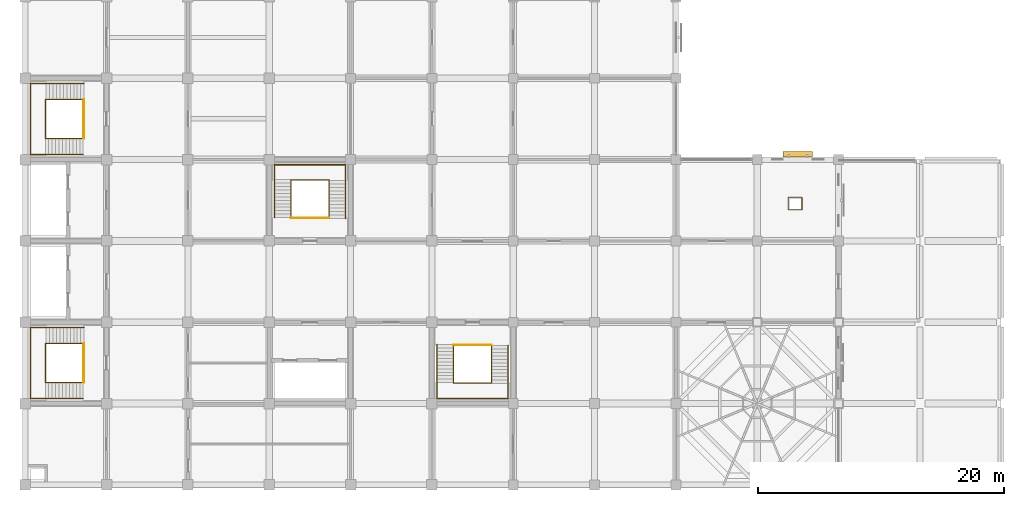
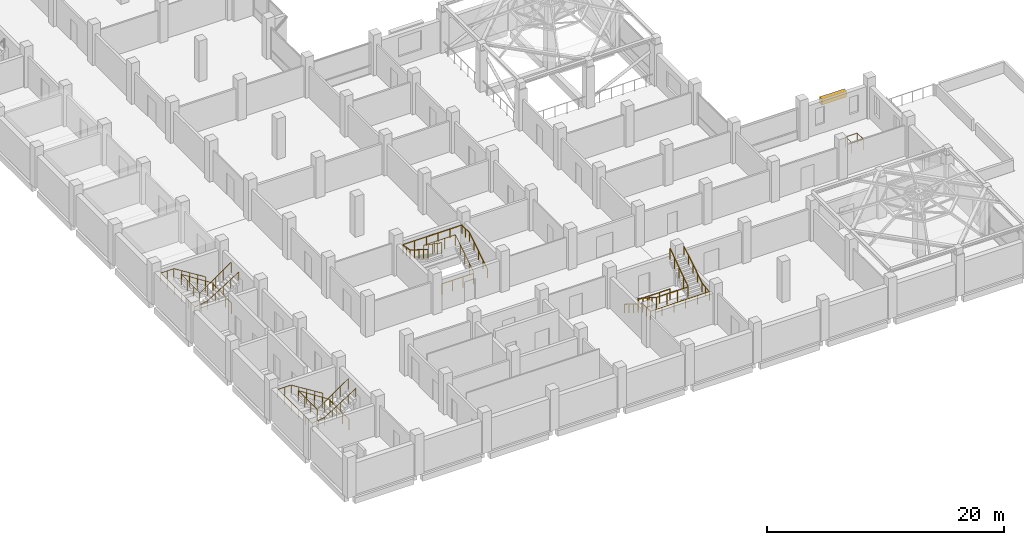
# One storey, part 24 of 25: 13 railings, 1 shading device.
"""IFC4 building model written with IfcOpenShell, lengths in metres."""

import ifcopenshell
import ifcopenshell.guid

model = None  # the IFC model being written
_history = None  # IfcOwnerHistory: only IFC2X3 demands one
_inside = {}  # id of a spatial element -> (the spatial element, [elements in it])
_under = {}  # id of a project, library or spatial element -> (it, [spatial elements below it])
_declared = {}  # id of a project -> (the project, [libraries it declares])
_typed = {}  # id of a type object -> (the type object, [elements of that type])
_made_of = {}  # id of a material, layer set ... -> (it, [elements and type objects made of it])


def new_model(schema):
    """Start an empty IFC model of exactly this schema.

    Asked for "IFC4X3", IfcOpenShell would pick the latest addendum, in which some entities
    have other attributes; the version numbers below select the first issue.
    IFC2X3 requires an IfcOwnerHistory on every rooted entity: one is made here for all.
    """
    global model, _history
    if schema == "IFC4X3":
        model = ifcopenshell.file(schema_version=(4, 3, 0, 0))
    else:
        model = ifcopenshell.file(schema=schema)
    _inside.clear()
    _under.clear()
    _declared.clear()
    _typed.clear()
    _made_of.clear()
    _history = None
    if model.schema == "IFC2X3":
        org = make("IfcOrganization", Name="unknown")
        user = make(
            "IfcPersonAndOrganization",
            ThePerson=make("IfcPerson", FamilyName="unknown"),
            TheOrganization=org,
        )
        app = make(
            "IfcApplication",
            ApplicationDeveloper=org,
            Version="unknown",
            ApplicationFullName="unknown",
            ApplicationIdentifier="unknown",
        )
        _history = make(
            "IfcOwnerHistory",
            OwningUser=user,
            OwningApplication=app,
            ChangeAction="ADDED",
            CreationDate=0,
        )
    return model


def make(cls, **values):
    """One entity of the class cls with the attributes given. An attribute that is None is left unset."""
    return model.create_entity(
        cls, **{name: value for name, value in values.items() if value is not None}
    )


def rooted(cls, **values):
    """An entity with a GlobalId (a new one), such as an element, a storey or a relation."""
    return make(cls, GlobalId=ifcopenshell.guid.new(), OwnerHistory=_history, **values)


def si_unit(unit_type, name, prefix=None):
    """IfcSIUnit, for example si_unit("LENGTHUNIT", "METRE", prefix="MILLI")."""
    return make("IfcSIUnit", UnitType=unit_type, Prefix=prefix, Name=name)


def assignment(units):
    """IfcUnitAssignment: the units of a project."""
    return None if units is None else make("IfcUnitAssignment", Units=units)


def point(xyz):
    """IfcCartesianPoint."""
    return None if xyz is None else make("IfcCartesianPoint", Coordinates=xyz)


def direction(xyz):
    """IfcDirection."""
    return None if xyz is None else make("IfcDirection", DirectionRatios=xyz)


def frame(location, z_axis=None, x_axis=None):
    """IfcAxis2Placement3D, a coordinate frame: its origin and axes. An axis left out is left unset."""
    return make(
        "IfcAxis2Placement3D",
        Location=point(location),
        Axis=direction(z_axis),
        RefDirection=direction(x_axis),
    )


def frame_2d(location, x_axis=None):
    """IfcAxis2Placement2D, a coordinate frame in the plane: its origin and x axis."""
    return make(
        "IfcAxis2Placement2D", Location=point(location), RefDirection=direction(x_axis)
    )


def origin():
    """The frame at (0, 0, 0) with its axes left unset."""
    return frame((0.0, 0.0, 0.0))


def origin_2d():
    """The frame at (0, 0) in the plane with its x axis left unset."""
    return frame_2d((0.0, 0.0))


def place(relative_to, where):
    """IfcLocalPlacement: puts the frame where relative to a parent placement (None: the world)."""
    return make(
        "IfcLocalPlacement", PlacementRelTo=relative_to, RelativePlacement=where
    )


def context(
    kind, dimensions, precision=None, world=None, true_north=None, identifier=None
):
    """IfcGeometricRepresentationContext, for example the 3D "Model" context."""
    return make(
        "IfcGeometricRepresentationContext",
        ContextIdentifier=identifier,
        ContextType=kind,
        CoordinateSpaceDimension=dimensions,
        Precision=precision,
        WorldCoordinateSystem=world,
        TrueNorth=true_north,
    )


def subcontext(parent, identifier, kind, view, scale=None):
    """IfcGeometricRepresentationSubContext, for example "Body" below "Model"."""
    return make(
        "IfcGeometricRepresentationSubContext",
        ContextIdentifier=identifier,
        ContextType=kind,
        ParentContext=parent,
        TargetScale=scale,
        TargetView=view,
    )


def project(units=None, contexts=None):
    """IfcProject with its units and contexts."""
    return rooted(
        "IfcProject",
        Name="project",
        RepresentationContexts=contexts,
        UnitsInContext=assignment(units),
    )


def spatial(cls, under=None, at=None, **own):
    """A site, building, storey or space (cls), placed at a placement, below another one or the project."""
    s = rooted(cls, ObjectPlacement=at, **own)
    if under is not None:
        _under.setdefault(under.id(), (under, []))[1].append(s)
    return s


def profile(cls, at=None, kind="AREA", **sizes):
    """A parametric profile (cls). Its sizes go by their IFC names, for example OverallWidth=200.0."""
    return make(cls, ProfileType=kind, Position=at, **sizes)


def rectangle(**sizes):
    """IfcRectangleProfileDef."""
    return profile("IfcRectangleProfileDef", **sizes)


def circle(**sizes):
    """IfcCircleProfileDef."""
    return profile("IfcCircleProfileDef", **sizes)


def extrude(swept, where, along, depth):
    """IfcExtrudedAreaSolid: the profile swept, set in the frame where, extruded along a direction by depth."""
    return make(
        "IfcExtrudedAreaSolid",
        SweptArea=swept,
        Position=where,
        ExtrudedDirection=direction(along),
        Depth=depth,
    )


def shape(context_of_items, identifier, shape_type, items):
    """IfcShapeRepresentation: the items that make up one representation, for example the "Body"."""
    return make(
        "IfcShapeRepresentation",
        ContextOfItems=context_of_items,
        RepresentationIdentifier=identifier,
        RepresentationType=shape_type,
        Items=items,
    )


def material(Name=None, Category=None):
    """IfcMaterial."""
    return make("IfcMaterial", Name=Name, Category=Category)


def made_of(thing, what):
    """Note that an element or type object is made of a material, layer set ...; save() writes the relation."""
    if what is not None:
        _made_of.setdefault(what.id(), (what, []))[1].append(thing)
    return thing


def type_object(cls, material=None, **own):
    """A type object (cls), such as IfcWallType, which elements share."""
    return made_of(rooted(cls, **own), material)


def element(
    cls,
    number,
    at=None,
    inside=None,
    cuts=None,
    type_object=None,
    material=None,
    context=None,
    identifier="Body",
    shape_type=None,
    held_by="IfcProductDefinitionShape",
    body=None,
    shapes=None,
    **own,
):
    """One element of the class cls, such as IfcWall. Its Tag is "e" and its number.

    at: its placement. inside: the storey or other place that contains it. cuts: it is an
    opening in that element (IfcRelVoidsElement). A single representation is given by context,
    identifier, shape_type and body (its items); several are given by shapes. held_by: the class
    of the entity that holds the representations. save() writes the other relations.
    """
    e = rooted(cls, Tag="e%d" % number, ObjectPlacement=at, **own)
    if body is not None:
        shapes = [shape(context, identifier, shape_type, body)]
    if shapes is not None:
        e.Representation = make(held_by, Representations=shapes)
    if inside is not None:
        _inside.setdefault(inside.id(), (inside, []))[1].append(e)
    if cuts is not None:
        rooted(
            "IfcRelVoidsElement", RelatingBuildingElement=cuts, RelatedOpeningElement=e
        )
    if type_object is not None:
        _typed.setdefault(type_object.id(), (type_object, []))[1].append(e)
    return made_of(e, material)


def aggregate(whole, parts):
    """IfcRelAggregates: a whole, such as a stair, and the parts it consists of."""
    return rooted("IfcRelAggregates", RelatingObject=whole, RelatedObjects=parts)


def save(model, path):
    """Write the relations noted so far, then the file.

    IfcRelAggregates (storeys below a building ...), IfcRelContainedInSpatialStructure (elements
    in a storey), IfcRelDefinesByType, IfcRelAssociatesMaterial and IfcRelDeclares: one each for
    every whole, place, type object, material and project.
    """
    for whole, parts in _under.values():
        aggregate(whole, parts)
    for where, things in _inside.values():
        rooted(
            "IfcRelContainedInSpatialStructure",
            RelatedElements=things,
            RelatingStructure=where,
        )
    for kind, things in _typed.values():
        rooted("IfcRelDefinesByType", RelatedObjects=things, RelatingType=kind)
    for what, things in _made_of.values():
        rooted("IfcRelAssociatesMaterial", RelatedObjects=things, RelatingMaterial=what)
    for by, libraries in _declared.values():
        rooted("IfcRelDeclares", RelatingContext=by, RelatedDefinitions=libraries)
    model.write(path)


model = new_model("IFC4")

# Units and contexts
model_context = context("Model", 3, precision=1e-05, world=origin(), true_north=direction((0.0, 1.0)))
body_context = subcontext(model_context, "Body", "Model", "MODEL_VIEW")
ifc_project = project(units=[si_unit("LENGTHUNIT", "METRE"), si_unit("AREAUNIT", "SQUARE_METRE"), si_unit("VOLUMEUNIT", "CUBIC_METRE"), si_unit("PLANEANGLEUNIT", "RADIAN"), si_unit("MASSUNIT", "GRAM", prefix="KILO")], contexts=[model_context])

# Site, building, storey
site_placement = place(None, origin())
site = spatial("IfcSite", under=ifc_project, at=site_placement, CompositionType="ELEMENT")
building_placement = place(site_placement, origin())
building = spatial("IfcBuilding", under=site, at=building_placement, Name="Rusizi Kubbe Research Institute", CompositionType="ELEMENT")
storey_placement = place(building_placement, frame((0.0, 0.0, 14.39990234375)))
storey = spatial("IfcBuildingStorey", under=building, at=storey_placement, Name="L03", CompositionType="ELEMENT", Elevation=14.39990234375)

# Railings
ifc_material_1 = material(Name="Painted Steel Stair Guard", Category="steel")
railing_type_1 = type_object("IfcRailingType", Name="GR-STAIR", PredefinedType="GUARDRAIL", material=ifc_material_1)
railing_1_placement = place(storey_placement, frame((4.780029296875, 11.489990234375, 0.087646484375)))
element("IfcRailing", 1, at=railing_1_placement, inside=storey, type_object=railing_type_1, Name="Stair Inner Well Guard ST1 L03", PredefinedType="GUARDRAIL", context=body_context, shape_type="SweptSolid", body=[
    extrude(circle(Radius=0.02392578125, at=origin_2d()), frame((0.0, 0.0, 1.09619140625), z_axis=(-0.840361383606, 0.0, 0.542026516828), x_axis=(0.0, -1.0, 0.0)), (0.0, 0.0, 1.0), 3.712890625),
    extrude(circle(Radius=0.02392578125, at=origin_2d()), frame((-3.1201171875, 0.0, 3.1083984375), z_axis=(0.0, -1.0, 0.0), x_axis=(1.0, 0.0, 0.0)), (0.0, 0.0, 1.0), 3.179931640625),
    extrude(circle(Radius=0.02392578125, at=origin_2d()), frame((-3.1201171875, -3.179931640625, 3.1083984375), z_axis=(0.82276741766, 0.0, 0.568378198419), x_axis=(0.0, 1.0, 0.0)), (0.0, 0.0, 1.0), 3.69482421875),
    extrude(circle(Radius=0.02099609375, at=origin_2d()), origin(), (0.0, 0.0, 1.0), 1.072021484375),
    extrude(circle(Radius=0.02099609375, at=origin_2d()), frame((-0.780029296875, 0.0, 0.503173828125)), (0.0, 0.0, 1.0), 1.072021484375),
    extrude(circle(Radius=0.02099609375, at=origin_2d()), frame((-1.56005859375, 0.0, 1.00634765625)), (0.0, 0.0, 1.0), 1.072021484375),
    extrude(circle(Radius=0.02099609375, at=origin_2d()), frame((-2.340087890625, 0.0, 1.50927734375)), (0.0, 0.0, 1.0), 1.072021484375),
    extrude(circle(Radius=0.02099609375, at=origin_2d()), frame((-3.1201171875, 0.0, 2.012451171875)), (0.0, 0.0, 1.0), 1.072021484375),
    extrude(circle(Radius=0.02099609375, at=origin_2d()), frame((-3.1201171875, -1.06005859375, 2.012451171875)), (0.0, 0.0, 1.0), 1.072021484375),
    extrude(circle(Radius=0.02099609375, at=origin_2d()), frame((-3.1201171875, -2.119873046875, 2.012451171875)), (0.0, 0.0, 1.0), 1.072021484375),
    extrude(circle(Radius=0.02099609375, at=origin_2d()), frame((-3.1201171875, -3.179931640625, 2.012451171875)), (0.0, 0.0, 1.0), 1.072021484375),
    extrude(circle(Radius=0.02099609375, at=origin_2d()), frame((-2.360107421875, -3.179931640625, 2.53759765625)), (0.0, 0.0, 1.0), 1.072021484375),
    extrude(circle(Radius=0.02099609375, at=origin_2d()), frame((-1.60009765625, -3.179931640625, 3.0625)), (0.0, 0.0, 1.0), 1.072021484375),
    extrude(circle(Radius=0.02099609375, at=origin_2d()), frame((-0.840087890625, -3.179931640625, 3.58740234375)), (0.0, 0.0, 1.0), 1.072021484375),
    extrude(circle(Radius=0.02099609375, at=origin_2d()), frame((-0.080078125, -3.179931640625, 4.112548828125)), (0.0, 0.0, 1.0), 1.072021484375),
])
railing_2_placement = place(storey_placement, frame((4.75, 11.489990234375, 0.0)))
element("IfcRailing", 2, at=railing_2_placement, inside=storey, type_object=railing_type_1, Name="Stair Floor Edge Guard ST1 L03", PredefinedType="GUARDRAIL", context=body_context, shape_type="SweptSolid", body=[
    extrude(circle(Radius=0.02392578125, at=origin_2d()), frame((0.0, 0.0, 1.09619140625), z_axis=(0.0, -1.0, 0.0), x_axis=(1.0, 0.0, 0.0)), (0.0, 0.0, 1.0), 3.179931640625),
    extrude(circle(Radius=0.02099609375, at=origin_2d()), origin(), (0.0, 0.0, 1.0), 1.072021484375),
    extrude(circle(Radius=0.02099609375, at=origin_2d()), frame((0.0, -1.06005859375, 0.0)), (0.0, 0.0, 1.0), 1.072021484375),
    extrude(circle(Radius=0.02099609375, at=origin_2d()), frame((0.0, -2.119873046875, 0.0)), (0.0, 0.0, 1.0), 1.072021484375),
    extrude(circle(Radius=0.02099609375, at=origin_2d()), frame((0.0, -3.179931640625, 0.0)), (0.0, 0.0, 1.0), 1.072021484375),
])
railing_3_placement = place(storey_placement, frame((4.780029296875, 31.2900390625, 0.087646484375)))
element("IfcRailing", 3, at=railing_3_placement, inside=storey, type_object=railing_type_1, Name="Stair Inner Well Guard ST2 L03", PredefinedType="GUARDRAIL", context=body_context, shape_type="SweptSolid", body=[
    extrude(circle(Radius=0.02392578125, at=origin_2d()), frame((0.0, 0.0, 1.09619140625), z_axis=(-0.840361383606, 0.0, 0.542026516828), x_axis=(0.0, -1.0, 0.0)), (0.0, 0.0, 1.0), 3.712890625),
    extrude(circle(Radius=0.02392578125, at=origin_2d()), frame((-3.1201171875, 0.0, 3.1083984375), z_axis=(0.0, -1.0, 0.0), x_axis=(1.0, 0.0, 0.0)), (0.0, 0.0, 1.0), 3.179931640625),
    extrude(circle(Radius=0.02392578125, at=origin_2d()), frame((-3.1201171875, -3.179931640625, 3.1083984375), z_axis=(0.82276741766, 0.0, 0.568378198419), x_axis=(0.0, 1.0, 0.0)), (0.0, 0.0, 1.0), 3.69482421875),
    extrude(circle(Radius=0.02099609375, at=origin_2d()), origin(), (0.0, 0.0, 1.0), 1.072021484375),
    extrude(circle(Radius=0.02099609375, at=origin_2d()), frame((-0.780029296875, 0.0, 0.503173828125)), (0.0, 0.0, 1.0), 1.072021484375),
    extrude(circle(Radius=0.02099609375, at=origin_2d()), frame((-1.56005859375, 0.0, 1.00634765625)), (0.0, 0.0, 1.0), 1.072021484375),
    extrude(circle(Radius=0.02099609375, at=origin_2d()), frame((-2.340087890625, 0.0, 1.50927734375)), (0.0, 0.0, 1.0), 1.072021484375),
    extrude(circle(Radius=0.02099609375, at=origin_2d()), frame((-3.1201171875, 0.0, 2.012451171875)), (0.0, 0.0, 1.0), 1.072021484375),
    extrude(circle(Radius=0.02099609375, at=origin_2d()), frame((-3.1201171875, -1.06005859375, 2.012451171875)), (0.0, 0.0, 1.0), 1.072021484375),
    extrude(circle(Radius=0.02099609375, at=origin_2d()), frame((-3.1201171875, -2.119873046875, 2.012451171875)), (0.0, 0.0, 1.0), 1.072021484375),
    extrude(circle(Radius=0.02099609375, at=origin_2d()), frame((-3.1201171875, -3.179931640625, 2.012451171875)), (0.0, 0.0, 1.0), 1.072021484375),
    extrude(circle(Radius=0.02099609375, at=origin_2d()), frame((-2.360107421875, -3.179931640625, 2.53759765625)), (0.0, 0.0, 1.0), 1.072021484375),
    extrude(circle(Radius=0.02099609375, at=origin_2d()), frame((-1.60009765625, -3.179931640625, 3.0625)), (0.0, 0.0, 1.0), 1.072021484375),
    extrude(circle(Radius=0.02099609375, at=origin_2d()), frame((-0.840087890625, -3.179931640625, 3.58740234375)), (0.0, 0.0, 1.0), 1.072021484375),
    extrude(circle(Radius=0.02099609375, at=origin_2d()), frame((-0.080078125, -3.179931640625, 4.112548828125)), (0.0, 0.0, 1.0), 1.072021484375),
])
railing_4_placement = place(storey_placement, frame((4.75, 31.2900390625, 0.0)))
element("IfcRailing", 4, at=railing_4_placement, inside=storey, type_object=railing_type_1, Name="Stair Floor Edge Guard ST2 L03", PredefinedType="GUARDRAIL", context=body_context, shape_type="SweptSolid", body=[
    extrude(circle(Radius=0.02392578125, at=origin_2d()), frame((0.0, 0.0, 1.09619140625), z_axis=(0.0, -1.0, 0.0), x_axis=(1.0, 0.0, 0.0)), (0.0, 0.0, 1.0), 3.179931640625),
    extrude(circle(Radius=0.02099609375, at=origin_2d()), origin(), (0.0, 0.0, 1.0), 1.072021484375),
    extrude(circle(Radius=0.02099609375, at=origin_2d()), frame((0.0, -1.06005859375, 0.0)), (0.0, 0.0, 1.0), 1.072021484375),
    extrude(circle(Radius=0.02099609375, at=origin_2d()), frame((0.0, -2.119873046875, 0.0)), (0.0, 0.0, 1.0), 1.072021484375),
    extrude(circle(Radius=0.02099609375, at=origin_2d()), frame((0.0, -3.179931640625, 0.0)), (0.0, 0.0, 1.0), 1.072021484375),
])
railing_5_placement = place(storey_placement, frame((24.639892578125, 21.6201171875, 0.087646484375)))
element("IfcRailing", 5, at=railing_5_placement, inside=storey, type_object=railing_type_1, Name="Stair Inner Well Guard ST3 L03", PredefinedType="GUARDRAIL", context=body_context, shape_type="SweptSolid", body=[
    extrude(circle(Radius=0.02392578125, at=origin_2d()), frame((0.0, 0.0, 1.09619140625), z_axis=(0.0, 0.840342063375, 0.542056469865), x_axis=(-1.0, 0.0, 0.0)), (0.0, 0.0, 1.0), 3.712646484375),
    extrude(circle(Radius=0.02392578125, at=origin_2d()), frame((0.0, 3.119873046875, 3.1083984375), z_axis=(-1.0, 0.0, 0.0), x_axis=(0.0, -1.0, 0.0)), (0.0, 0.0, 1.0), 3.079833984375),
    extrude(circle(Radius=0.02392578125, at=origin_2d()), frame((-3.079833984375, 3.119873046875, 3.1083984375), z_axis=(0.0, -0.82276741766, 0.568378198419), x_axis=(1.0, 0.0, 0.0)), (0.0, 0.0, 1.0), 3.69482421875),
    extrude(circle(Radius=0.02099609375, at=origin_2d()), origin(), (0.0, 0.0, 1.0), 1.072021484375),
    extrude(circle(Radius=0.02099609375, at=origin_2d()), frame((0.0, 0.780029296875, 0.503173828125)), (0.0, 0.0, 1.0), 1.072021484375),
    extrude(circle(Radius=0.02099609375, at=origin_2d()), frame((0.0, 1.56005859375, 1.00634765625)), (0.0, 0.0, 1.0), 1.072021484375),
    extrude(circle(Radius=0.02099609375, at=origin_2d()), frame((0.0, 2.33984375, 1.50927734375)), (0.0, 0.0, 1.0), 1.072021484375),
    extrude(circle(Radius=0.02099609375, at=origin_2d()), frame((0.0, 3.119873046875, 2.012451171875)), (0.0, 0.0, 1.0), 1.072021484375),
    extrude(circle(Radius=0.02099609375, at=origin_2d()), frame((-1.026611328125, 3.119873046875, 2.012451171875)), (0.0, 0.0, 1.0), 1.072021484375),
    extrude(circle(Radius=0.02099609375, at=origin_2d()), frame((-2.05322265625, 3.119873046875, 2.012451171875)), (0.0, 0.0, 1.0), 1.072021484375),
    extrude(circle(Radius=0.02099609375, at=origin_2d()), frame((-3.079833984375, 3.119873046875, 2.012451171875)), (0.0, 0.0, 1.0), 1.072021484375),
    extrude(circle(Radius=0.02099609375, at=origin_2d()), frame((-3.079833984375, 2.35986328125, 2.53759765625)), (0.0, 0.0, 1.0), 1.072021484375),
    extrude(circle(Radius=0.02099609375, at=origin_2d()), frame((-3.079833984375, 1.599853515625, 3.0625)), (0.0, 0.0, 1.0), 1.072021484375),
    extrude(circle(Radius=0.02099609375, at=origin_2d()), frame((-3.079833984375, 0.83984375, 3.58740234375)), (0.0, 0.0, 1.0), 1.072021484375),
    extrude(circle(Radius=0.02099609375, at=origin_2d()), frame((-3.079833984375, 0.079833984375, 4.112548828125)), (0.0, 0.0, 1.0), 1.072021484375),
])
railing_6_placement = place(storey_placement, frame((24.639892578125, 21.64990234375, 0.0)))
element("IfcRailing", 6, at=railing_6_placement, inside=storey, type_object=railing_type_1, Name="Stair Floor Edge Guard ST3 L03", PredefinedType="GUARDRAIL", context=body_context, shape_type="SweptSolid", body=[
    extrude(circle(Radius=0.02392578125, at=origin_2d()), frame((0.0, 0.0, 1.09619140625), z_axis=(-1.0, 0.0, 0.0), x_axis=(0.0, -1.0, 0.0)), (0.0, 0.0, 1.0), 3.079833984375),
    extrude(circle(Radius=0.02099609375, at=origin_2d()), origin(), (0.0, 0.0, 1.0), 1.072021484375),
    extrude(circle(Radius=0.02099609375, at=origin_2d()), frame((-1.026611328125, 0.0, 0.0)), (0.0, 0.0, 1.0), 1.072021484375),
    extrude(circle(Radius=0.02099609375, at=origin_2d()), frame((-2.05322265625, 0.0, 0.0)), (0.0, 0.0, 1.0), 1.072021484375),
    extrude(circle(Radius=0.02099609375, at=origin_2d()), frame((-3.079833984375, 0.0, 0.0)), (0.0, 0.0, 1.0), 1.072021484375),
])
railing_7_placement = place(storey_placement, frame((34.760009765625, 11.3798828125, 0.087646484375)))
element("IfcRailing", 7, at=railing_7_placement, inside=storey, type_object=railing_type_1, Name="Stair Inner Well Guard ST4 L03", PredefinedType="GUARDRAIL", context=body_context, shape_type="SweptSolid", body=[
    extrude(circle(Radius=0.02392578125, at=origin_2d()), frame((0.0, 0.0, 1.09619140625), z_axis=(0.0, -0.840342063375, 0.542056469865), x_axis=(1.0, 0.0, 0.0)), (0.0, 0.0, 1.0), 3.712646484375),
    extrude(circle(Radius=0.02392578125, at=origin_2d()), frame((0.0, -3.119873046875, 3.1083984375), z_axis=(1.0, 0.0, 0.0), x_axis=(0.0, 1.0, 0.0)), (0.0, 0.0, 1.0), 3.080078125),
    extrude(circle(Radius=0.02392578125, at=origin_2d()), frame((3.080078125, -3.119873046875, 3.1083984375), z_axis=(0.0, 0.82276741766, 0.568378198419), x_axis=(-1.0, 0.0, 0.0)), (0.0, 0.0, 1.0), 3.69482421875),
    extrude(circle(Radius=0.02099609375, at=origin_2d()), origin(), (0.0, 0.0, 1.0), 1.072021484375),
    extrude(circle(Radius=0.02099609375, at=origin_2d()), frame((0.0, -0.780029296875, 0.503173828125)), (0.0, 0.0, 1.0), 1.072021484375),
    extrude(circle(Radius=0.02099609375, at=origin_2d()), frame((0.0, -1.56005859375, 1.00634765625)), (0.0, 0.0, 1.0), 1.072021484375),
    extrude(circle(Radius=0.02099609375, at=origin_2d()), frame((0.0, -2.33984375, 1.50927734375)), (0.0, 0.0, 1.0), 1.072021484375),
    extrude(circle(Radius=0.02099609375, at=origin_2d()), frame((0.0, -3.119873046875, 2.012451171875)), (0.0, 0.0, 1.0), 1.072021484375),
    extrude(circle(Radius=0.02099609375, at=origin_2d()), frame((1.026611328125, -3.119873046875, 2.012451171875)), (0.0, 0.0, 1.0), 1.072021484375),
    extrude(circle(Radius=0.02099609375, at=origin_2d()), frame((2.053466796875, -3.119873046875, 2.012451171875)), (0.0, 0.0, 1.0), 1.072021484375),
    extrude(circle(Radius=0.02099609375, at=origin_2d()), frame((3.080078125, -3.119873046875, 2.012451171875)), (0.0, 0.0, 1.0), 1.072021484375),
    extrude(circle(Radius=0.02099609375, at=origin_2d()), frame((3.080078125, -2.35986328125, 2.53759765625)), (0.0, 0.0, 1.0), 1.072021484375),
    extrude(circle(Radius=0.02099609375, at=origin_2d()), frame((3.080078125, -1.599853515625, 3.0625)), (0.0, 0.0, 1.0), 1.072021484375),
    extrude(circle(Radius=0.02099609375, at=origin_2d()), frame((3.080078125, -0.83984375, 3.58740234375)), (0.0, 0.0, 1.0), 1.072021484375),
    extrude(circle(Radius=0.02099609375, at=origin_2d()), frame((3.080078125, -0.079833984375, 4.112548828125)), (0.0, 0.0, 1.0), 1.072021484375),
])
railing_8_placement = place(storey_placement, frame((34.760009765625, 11.35009765625, 0.0)))
element("IfcRailing", 8, at=railing_8_placement, inside=storey, type_object=railing_type_1, Name="Stair Floor Edge Guard ST4 L03", PredefinedType="GUARDRAIL", context=body_context, shape_type="SweptSolid", body=[
    extrude(circle(Radius=0.02392578125, at=origin_2d()), frame((0.0, 0.0, 1.09619140625), z_axis=(1.0, 0.0, 0.0), x_axis=(0.0, 1.0, 0.0)), (0.0, 0.0, 1.0), 3.080078125),
    extrude(circle(Radius=0.02099609375, at=origin_2d()), origin(), (0.0, 0.0, 1.0), 1.072021484375),
    extrude(circle(Radius=0.02099609375, at=origin_2d()), frame((1.026611328125, 0.0, 0.0)), (0.0, 0.0, 1.0), 1.072021484375),
    extrude(circle(Radius=0.02099609375, at=origin_2d()), frame((2.053466796875, 0.0, 0.0)), (0.0, 0.0, 1.0), 1.072021484375),
    extrude(circle(Radius=0.02099609375, at=origin_2d()), frame((3.080078125, 0.0, 0.0)), (0.0, 0.0, 1.0), 1.072021484375),
])
railing_9_placement = place(storey_placement, frame((61.919921875, 22.320068359375, 0.0)))
element("IfcRailing", 9, at=railing_9_placement, inside=storey, type_object=railing_type_1, Name="Service Riser Guard L03 EAST", PredefinedType="GUARDRAIL", context=body_context, shape_type="SweptSolid", body=[
    extrude(circle(Radius=0.02392578125, at=origin_2d()), frame((0.0, 0.0, 1.09619140625), z_axis=(1.0, 0.0, 0.0), x_axis=(0.0, 1.0, 0.0)), (0.0, 0.0, 1.0), 1.110107421875),
    extrude(circle(Radius=0.02392578125, at=origin_2d()), frame((1.110107421875, 0.0, 1.09619140625), z_axis=(0.0, 1.0, 0.0), x_axis=(-1.0, 0.0, 0.0)), (0.0, 0.0, 1.0), 1.010009765625),
    extrude(circle(Radius=0.02392578125, at=origin_2d()), frame((1.110107421875, 1.010009765625, 1.09619140625), z_axis=(-1.0, 0.0, 0.0), x_axis=(0.0, -1.0, 0.0)), (0.0, 0.0, 1.0), 1.110107421875),
    extrude(circle(Radius=0.02392578125, at=origin_2d()), frame((0.0, 1.010009765625, 1.09619140625), z_axis=(0.0, -1.0, 0.0), x_axis=(1.0, 0.0, 0.0)), (0.0, 0.0, 1.0), 1.010009765625),
    extrude(circle(Radius=0.02099609375, at=origin_2d()), origin(), (0.0, 0.0, 1.0), 1.072021484375),
    extrude(circle(Radius=0.02099609375, at=origin_2d()), frame((1.110107421875, 0.0, 0.0)), (0.0, 0.0, 1.0), 1.072021484375),
    extrude(circle(Radius=0.02099609375, at=origin_2d()), frame((1.110107421875, 1.010009765625, 0.0)), (0.0, 0.0, 1.0), 1.072021484375),
    extrude(circle(Radius=0.02099609375, at=origin_2d()), frame((0.0, 1.010009765625, 0.0)), (0.0, 0.0, 1.0), 1.072021484375),
])
ifc_material_2 = material(Name="Brushed Stainless Steel Handrail", Category="steel")
railing_type_2 = type_object("IfcRailingType", Name="HR-STAIR", PredefinedType="HANDRAIL", material=ifc_material_2)
railing_10_placement = place(storey_placement, frame((4.780029296875, 12.780029296875, 0.175048828125)))
element("IfcRailing", 10, at=railing_10_placement, inside=storey, type_object=railing_type_2, Name="Stair Wall Handrail ST1 L03", PredefinedType="HANDRAIL", context=body_context, shape_type="SweptSolid", body=[
    extrude(circle(Radius=0.02392578125, at=origin_2d()), frame((0.0, 0.0, 0.8759765625), z_axis=(-0.847998304005, 0.0, 0.529998940003), x_axis=(0.0, -1.0, 0.0)), (0.0, 0.0, 1.0), 3.632080078125),
    extrude(circle(Radius=0.02392578125, at=origin_2d()), frame((-3.080078125, 0.0, 2.80078125), z_axis=(-1.0, 0.0, 0.0), x_axis=(0.0, -1.0, 0.0)), (0.0, 0.0, 1.0), 1.280029296875),
    extrude(circle(Radius=0.02392578125, at=origin_2d()), frame((-4.360107421875, 0.0, 2.80078125), z_axis=(0.0, -1.0, 0.0), x_axis=(1.0, 0.0, 0.0)), (0.0, 0.0, 1.0), 5.760009765625),
    extrude(circle(Radius=0.02392578125, at=origin_2d()), frame((-4.360107421875, -5.760009765625, 2.80078125), z_axis=(0.989630492691, 0.0, 0.143636652482), x_axis=(0.0, 1.0, 0.0)), (0.0, 0.0, 1.0), 1.21875),
    extrude(circle(Radius=0.02392578125, at=origin_2d()), frame((-3.154052734375, -5.760009765625, 2.97607421875), z_axis=(0.847525270172, 0.0, 0.530755043706), x_axis=(0.0, 1.0, 0.0)), (0.0, 0.0, 1.0), 3.626953125),
    extrude(circle(Radius=0.02099609375, at=origin_2d()), origin(), (0.0, 0.0, 1.0), 0.851806640625),
    extrude(circle(Radius=0.02099609375, at=origin_2d()), frame((-0.77001953125, 0.0, 0.481201171875)), (0.0, 0.0, 1.0), 0.851806640625),
    extrude(circle(Radius=0.02099609375, at=origin_2d()), frame((-1.5400390625, 0.0, 0.96240234375)), (0.0, 0.0, 1.0), 0.851806640625),
    extrude(circle(Radius=0.02099609375, at=origin_2d()), frame((-2.31005859375, 0.0, 1.44384765625)), (0.0, 0.0, 1.0), 0.851806640625),
    extrude(circle(Radius=0.02099609375, at=origin_2d()), frame((-3.080078125, 0.0, 1.925048828125)), (0.0, 0.0, 1.0), 0.851806640625),
    extrude(circle(Radius=0.02099609375, at=origin_2d()), frame((-3.72021484375, 0.0, 1.925048828125)), (0.0, 0.0, 1.0), 0.851806640625),
    extrude(circle(Radius=0.02099609375, at=origin_2d()), frame((-4.360107421875, 0.0, 1.925048828125)), (0.0, 0.0, 1.0), 0.851806640625),
    extrude(circle(Radius=0.02099609375, at=origin_2d()), frame((-4.360107421875, -1.152099609375, 1.925048828125)), (0.0, 0.0, 1.0), 0.851806640625),
    extrude(circle(Radius=0.02099609375, at=origin_2d()), frame((-4.360107421875, -2.303955078125, 1.925048828125)), (0.0, 0.0, 1.0), 0.851806640625),
    extrude(circle(Radius=0.02099609375, at=origin_2d()), frame((-4.360107421875, -3.4560546875, 1.925048828125)), (0.0, 0.0, 1.0), 0.851806640625),
    extrude(circle(Radius=0.02099609375, at=origin_2d()), frame((-4.360107421875, -4.60791015625, 1.925048828125)), (0.0, 0.0, 1.0), 0.851806640625),
    extrude(circle(Radius=0.02099609375, at=origin_2d()), frame((-4.360107421875, -5.760009765625, 1.925048828125)), (0.0, 0.0, 1.0), 0.851806640625),
    extrude(circle(Radius=0.02099609375, at=origin_2d()), frame((-3.757080078125, -5.760009765625, 2.0126953125)), (0.0, 0.0, 1.0), 0.851806640625),
    extrude(circle(Radius=0.02099609375, at=origin_2d()), frame((-3.154052734375, -5.760009765625, 2.10009765625)), (0.0, 0.0, 1.0), 0.851806640625),
    extrude(circle(Radius=0.02099609375, at=origin_2d()), frame((-2.385498046875, -5.760009765625, 2.581298828125)), (0.0, 0.0, 1.0), 0.851806640625),
    extrude(circle(Radius=0.02099609375, at=origin_2d()), frame((-1.6171875, -5.760009765625, 3.0625)), (0.0, 0.0, 1.0), 0.851806640625),
    extrude(circle(Radius=0.02099609375, at=origin_2d()), frame((-0.8486328125, -5.760009765625, 3.5439453125)), (0.0, 0.0, 1.0), 0.851806640625),
    extrude(circle(Radius=0.02099609375, at=origin_2d()), frame((-0.080078125, -5.760009765625, 4.025146484375)), (0.0, 0.0, 1.0), 0.851806640625),
])
railing_11_placement = place(storey_placement, frame((4.780029296875, 32.580078125, 0.175048828125)))
element("IfcRailing", 11, at=railing_11_placement, inside=storey, type_object=railing_type_2, Name="Stair Wall Handrail ST2 L03", PredefinedType="HANDRAIL", context=body_context, shape_type="SweptSolid", body=[
    extrude(circle(Radius=0.02392578125, at=origin_2d()), frame((0.0, 0.0, 0.8759765625), z_axis=(-0.847998304005, 0.0, 0.529998940003), x_axis=(0.0, -1.0, 0.0)), (0.0, 0.0, 1.0), 3.632080078125),
    extrude(circle(Radius=0.02392578125, at=origin_2d()), frame((-3.080078125, 0.0, 2.80078125), z_axis=(-1.0, 0.0, 0.0), x_axis=(0.0, -1.0, 0.0)), (0.0, 0.0, 1.0), 1.280029296875),
    extrude(circle(Radius=0.02392578125, at=origin_2d()), frame((-4.360107421875, 0.0, 2.80078125), z_axis=(0.0, -1.0, 0.0), x_axis=(1.0, 0.0, 0.0)), (0.0, 0.0, 1.0), 5.760009765625),
    extrude(circle(Radius=0.02392578125, at=origin_2d()), frame((-4.360107421875, -5.760009765625, 2.80078125), z_axis=(0.989630492691, 0.0, 0.143636652482), x_axis=(0.0, 1.0, 0.0)), (0.0, 0.0, 1.0), 1.21875),
    extrude(circle(Radius=0.02392578125, at=origin_2d()), frame((-3.154052734375, -5.760009765625, 2.97607421875), z_axis=(0.847525270172, 0.0, 0.530755043706), x_axis=(0.0, 1.0, 0.0)), (0.0, 0.0, 1.0), 3.626953125),
    extrude(circle(Radius=0.02099609375, at=origin_2d()), origin(), (0.0, 0.0, 1.0), 0.851806640625),
    extrude(circle(Radius=0.02099609375, at=origin_2d()), frame((-0.77001953125, 0.0, 0.481201171875)), (0.0, 0.0, 1.0), 0.851806640625),
    extrude(circle(Radius=0.02099609375, at=origin_2d()), frame((-1.5400390625, 0.0, 0.96240234375)), (0.0, 0.0, 1.0), 0.851806640625),
    extrude(circle(Radius=0.02099609375, at=origin_2d()), frame((-2.31005859375, 0.0, 1.44384765625)), (0.0, 0.0, 1.0), 0.851806640625),
    extrude(circle(Radius=0.02099609375, at=origin_2d()), frame((-3.080078125, 0.0, 1.925048828125)), (0.0, 0.0, 1.0), 0.851806640625),
    extrude(circle(Radius=0.02099609375, at=origin_2d()), frame((-3.72021484375, 0.0, 1.925048828125)), (0.0, 0.0, 1.0), 0.851806640625),
    extrude(circle(Radius=0.02099609375, at=origin_2d()), frame((-4.360107421875, 0.0, 1.925048828125)), (0.0, 0.0, 1.0), 0.851806640625),
    extrude(circle(Radius=0.02099609375, at=origin_2d()), frame((-4.360107421875, -1.152099609375, 1.925048828125)), (0.0, 0.0, 1.0), 0.851806640625),
    extrude(circle(Radius=0.02099609375, at=origin_2d()), frame((-4.360107421875, -2.303955078125, 1.925048828125)), (0.0, 0.0, 1.0), 0.851806640625),
    extrude(circle(Radius=0.02099609375, at=origin_2d()), frame((-4.360107421875, -3.4560546875, 1.925048828125)), (0.0, 0.0, 1.0), 0.851806640625),
    extrude(circle(Radius=0.02099609375, at=origin_2d()), frame((-4.360107421875, -4.60791015625, 1.925048828125)), (0.0, 0.0, 1.0), 0.851806640625),
    extrude(circle(Radius=0.02099609375, at=origin_2d()), frame((-4.360107421875, -5.760009765625, 1.925048828125)), (0.0, 0.0, 1.0), 0.851806640625),
    extrude(circle(Radius=0.02099609375, at=origin_2d()), frame((-3.757080078125, -5.760009765625, 2.0126953125)), (0.0, 0.0, 1.0), 0.851806640625),
    extrude(circle(Radius=0.02099609375, at=origin_2d()), frame((-3.154052734375, -5.760009765625, 2.10009765625)), (0.0, 0.0, 1.0), 0.851806640625),
    extrude(circle(Radius=0.02099609375, at=origin_2d()), frame((-2.385498046875, -5.760009765625, 2.581298828125)), (0.0, 0.0, 1.0), 0.851806640625),
    extrude(circle(Radius=0.02099609375, at=origin_2d()), frame((-1.6171875, -5.760009765625, 3.0625)), (0.0, 0.0, 1.0), 0.851806640625),
    extrude(circle(Radius=0.02099609375, at=origin_2d()), frame((-0.8486328125, -5.760009765625, 3.5439453125)), (0.0, 0.0, 1.0), 0.851806640625),
    extrude(circle(Radius=0.02099609375, at=origin_2d()), frame((-0.080078125, -5.760009765625, 4.025146484375)), (0.0, 0.0, 1.0), 0.851806640625),
])
railing_12_placement = place(storey_placement, frame((25.97998046875, 21.6201171875, 0.175048828125)))
element("IfcRailing", 12, at=railing_12_placement, inside=storey, type_object=railing_type_2, Name="Stair Wall Handrail ST3 L03", PredefinedType="HANDRAIL", context=body_context, shape_type="SweptSolid", body=[
    extrude(circle(Radius=0.02392578125, at=origin_2d()), frame((0.0, 0.0, 0.8759765625), z_axis=(0.0, 0.847979421464, 0.530029150871), x_axis=(-1.0, 0.0, 0.0)), (0.0, 0.0, 1.0), 3.632080078125),
    extrude(circle(Radius=0.02392578125, at=origin_2d()), frame((0.0, 3.079833984375, 2.80078125), z_axis=(0.0, 1.0, 0.0), x_axis=(-1.0, 0.0, 0.0)), (0.0, 0.0, 1.0), 1.280029296875),
    extrude(circle(Radius=0.02392578125, at=origin_2d()), frame((0.0, 4.35986328125, 2.80078125), z_axis=(-1.0, 0.0, 0.0), x_axis=(0.0, -1.0, 0.0)), (0.0, 0.0, 1.0), 5.760009765625),
    extrude(circle(Radius=0.02392578125, at=origin_2d()), frame((-5.760009765625, 4.35986328125, 2.80078125), z_axis=(0.0, -0.989630492691, 0.143636652482), x_axis=(1.0, 0.0, 0.0)), (0.0, 0.0, 1.0), 1.21875),
    extrude(circle(Radius=0.02392578125, at=origin_2d()), frame((-5.760009765625, 3.15380859375, 2.97607421875), z_axis=(0.0, -0.847525270172, 0.530755043706), x_axis=(1.0, 0.0, 0.0)), (0.0, 0.0, 1.0), 3.626953125),
    extrude(circle(Radius=0.02099609375, at=origin_2d()), origin(), (0.0, 0.0, 1.0), 0.851806640625),
    extrude(circle(Radius=0.02099609375, at=origin_2d()), frame((0.0, 0.77001953125, 0.481201171875)), (0.0, 0.0, 1.0), 0.851806640625),
    extrude(circle(Radius=0.02099609375, at=origin_2d()), frame((0.0, 1.5400390625, 0.96240234375)), (0.0, 0.0, 1.0), 0.851806640625),
    extrude(circle(Radius=0.02099609375, at=origin_2d()), frame((0.0, 2.309814453125, 1.44384765625)), (0.0, 0.0, 1.0), 0.851806640625),
    extrude(circle(Radius=0.02099609375, at=origin_2d()), frame((0.0, 3.079833984375, 1.925048828125)), (0.0, 0.0, 1.0), 0.851806640625),
    extrude(circle(Radius=0.02099609375, at=origin_2d()), frame((0.0, 3.7197265625, 1.925048828125)), (0.0, 0.0, 1.0), 0.851806640625),
    extrude(circle(Radius=0.02099609375, at=origin_2d()), frame((0.0, 4.35986328125, 1.925048828125)), (0.0, 0.0, 1.0), 0.851806640625),
    extrude(circle(Radius=0.02099609375, at=origin_2d()), frame((-1.152099609375, 4.35986328125, 1.925048828125)), (0.0, 0.0, 1.0), 0.851806640625),
    extrude(circle(Radius=0.02099609375, at=origin_2d()), frame((-2.303955078125, 4.35986328125, 1.925048828125)), (0.0, 0.0, 1.0), 0.851806640625),
    extrude(circle(Radius=0.02099609375, at=origin_2d()), frame((-3.4560546875, 4.35986328125, 1.925048828125)), (0.0, 0.0, 1.0), 0.851806640625),
    extrude(circle(Radius=0.02099609375, at=origin_2d()), frame((-4.60791015625, 4.35986328125, 1.925048828125)), (0.0, 0.0, 1.0), 0.851806640625),
    extrude(circle(Radius=0.02099609375, at=origin_2d()), frame((-5.760009765625, 4.35986328125, 1.925048828125)), (0.0, 0.0, 1.0), 0.851806640625),
    extrude(circle(Radius=0.02099609375, at=origin_2d()), frame((-5.760009765625, 3.7568359375, 2.0126953125)), (0.0, 0.0, 1.0), 0.851806640625),
    extrude(circle(Radius=0.02099609375, at=origin_2d()), frame((-5.760009765625, 3.15380859375, 2.10009765625)), (0.0, 0.0, 1.0), 0.851806640625),
    extrude(circle(Radius=0.02099609375, at=origin_2d()), frame((-5.760009765625, 2.38525390625, 2.581298828125)), (0.0, 0.0, 1.0), 0.851806640625),
    extrude(circle(Radius=0.02099609375, at=origin_2d()), frame((-5.760009765625, 1.61669921875, 3.0625)), (0.0, 0.0, 1.0), 0.851806640625),
    extrude(circle(Radius=0.02099609375, at=origin_2d()), frame((-5.760009765625, 0.848388671875, 3.5439453125)), (0.0, 0.0, 1.0), 0.851806640625),
    extrude(circle(Radius=0.02099609375, at=origin_2d()), frame((-5.760009765625, 0.079833984375, 4.025146484375)), (0.0, 0.0, 1.0), 0.851806640625),
])
railing_13_placement = place(storey_placement, frame((33.419921875, 11.3798828125, 0.175048828125)))
element("IfcRailing", 13, at=railing_13_placement, inside=storey, type_object=railing_type_2, Name="Stair Wall Handrail ST4 L03", PredefinedType="HANDRAIL", context=body_context, shape_type="SweptSolid", body=[
    extrude(circle(Radius=0.02392578125, at=origin_2d()), frame((0.0, 0.0, 0.8759765625), z_axis=(0.0, -0.847979421464, 0.530029150871), x_axis=(1.0, 0.0, 0.0)), (0.0, 0.0, 1.0), 3.632080078125),
    extrude(circle(Radius=0.02392578125, at=origin_2d()), frame((0.0, -3.079833984375, 2.80078125), z_axis=(0.0, -1.0, 0.0), x_axis=(1.0, 0.0, 0.0)), (0.0, 0.0, 1.0), 1.280029296875),
    extrude(circle(Radius=0.02392578125, at=origin_2d()), frame((0.0, -4.35986328125, 2.80078125), z_axis=(1.0, 0.0, 0.0), x_axis=(0.0, 1.0, 0.0)), (0.0, 0.0, 1.0), 5.760009765625),
    extrude(circle(Radius=0.02392578125, at=origin_2d()), frame((5.760009765625, -4.35986328125, 2.80078125), z_axis=(0.0, 0.989630492691, 0.143636652482), x_axis=(-1.0, 0.0, 0.0)), (0.0, 0.0, 1.0), 1.21875),
    extrude(circle(Radius=0.02392578125, at=origin_2d()), frame((5.760009765625, -3.15380859375, 2.97607421875), z_axis=(0.0, 0.847525270172, 0.530755043706), x_axis=(-1.0, 0.0, 0.0)), (0.0, 0.0, 1.0), 3.626953125),
    extrude(circle(Radius=0.02099609375, at=origin_2d()), origin(), (0.0, 0.0, 1.0), 0.851806640625),
    extrude(circle(Radius=0.02099609375, at=origin_2d()), frame((0.0, -0.77001953125, 0.481201171875)), (0.0, 0.0, 1.0), 0.851806640625),
    extrude(circle(Radius=0.02099609375, at=origin_2d()), frame((0.0, -1.5400390625, 0.96240234375)), (0.0, 0.0, 1.0), 0.851806640625),
    extrude(circle(Radius=0.02099609375, at=origin_2d()), frame((0.0, -2.309814453125, 1.44384765625)), (0.0, 0.0, 1.0), 0.851806640625),
    extrude(circle(Radius=0.02099609375, at=origin_2d()), frame((0.0, -3.079833984375, 1.925048828125)), (0.0, 0.0, 1.0), 0.851806640625),
    extrude(circle(Radius=0.02099609375, at=origin_2d()), frame((0.0, -3.7197265625, 1.925048828125)), (0.0, 0.0, 1.0), 0.851806640625),
    extrude(circle(Radius=0.02099609375, at=origin_2d()), frame((0.0, -4.35986328125, 1.925048828125)), (0.0, 0.0, 1.0), 0.851806640625),
    extrude(circle(Radius=0.02099609375, at=origin_2d()), frame((1.152099609375, -4.35986328125, 1.925048828125)), (0.0, 0.0, 1.0), 0.851806640625),
    extrude(circle(Radius=0.02099609375, at=origin_2d()), frame((2.303955078125, -4.35986328125, 1.925048828125)), (0.0, 0.0, 1.0), 0.851806640625),
    extrude(circle(Radius=0.02099609375, at=origin_2d()), frame((3.4560546875, -4.35986328125, 1.925048828125)), (0.0, 0.0, 1.0), 0.851806640625),
    extrude(circle(Radius=0.02099609375, at=origin_2d()), frame((4.60791015625, -4.35986328125, 1.925048828125)), (0.0, 0.0, 1.0), 0.851806640625),
    extrude(circle(Radius=0.02099609375, at=origin_2d()), frame((5.760009765625, -4.35986328125, 1.925048828125)), (0.0, 0.0, 1.0), 0.851806640625),
    extrude(circle(Radius=0.02099609375, at=origin_2d()), frame((5.760009765625, -3.7568359375, 2.0126953125)), (0.0, 0.0, 1.0), 0.851806640625),
    extrude(circle(Radius=0.02099609375, at=origin_2d()), frame((5.760009765625, -3.15380859375, 2.10009765625)), (0.0, 0.0, 1.0), 0.851806640625),
    extrude(circle(Radius=0.02099609375, at=origin_2d()), frame((5.760009765625, -2.38525390625, 2.581298828125)), (0.0, 0.0, 1.0), 0.851806640625),
    extrude(circle(Radius=0.02099609375, at=origin_2d()), frame((5.760009765625, -1.61669921875, 3.0625)), (0.0, 0.0, 1.0), 0.851806640625),
    extrude(circle(Radius=0.02099609375, at=origin_2d()), frame((5.760009765625, -0.848388671875, 3.5439453125)), (0.0, 0.0, 1.0), 0.851806640625),
    extrude(circle(Radius=0.02099609375, at=origin_2d()), frame((5.760009765625, -0.079833984375, 4.025146484375)), (0.0, 0.0, 1.0), 0.851806640625),
])

# Shading device
ifc_material_3 = material(Name="Extruded Aluminium Solar Louver", Category="aluminium")
shading_device_type = type_object("IfcShadingDeviceType", Name="SD-01", PredefinedType="SHUTTER", material=ifc_material_3)
shading_device_placement = place(storey_placement, frame((62.699951171875, 26.830078125, 2.530029296875), z_axis=(0.0, 0.0, 1.0), x_axis=(1.0, 0.0, 0.0)))
element("IfcShadingDevice", 14, at=shading_device_placement, inside=storey, type_object=shading_device_type, Name="Solar Shading Louver SD-01-028", PredefinedType="SHUTTER", context=body_context, shape_type="SweptSolid", body=[
    extrude(rectangle(XDim=2.39990234375, YDim=0.419921875, at=origin_2d()), origin(), (0.0, 0.0, 1.0), 0.60009765625),
])

save(model, "model.ifc")
